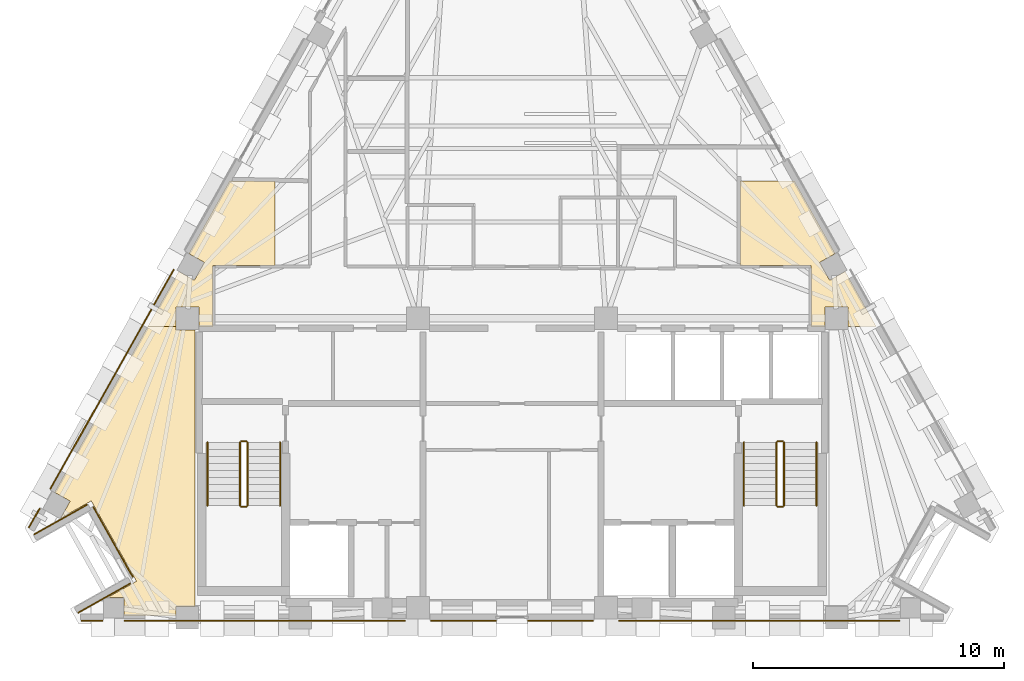
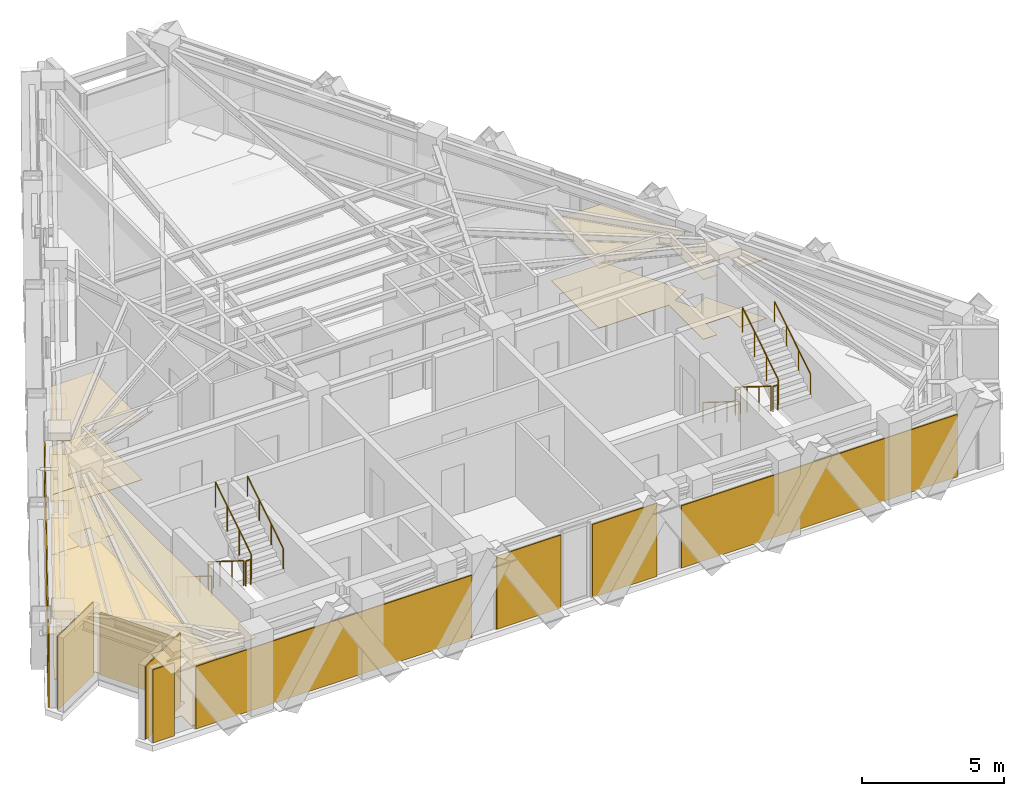
# One storey, part 8 of 9: 16 coverings, 12 railings.
"""IFC4 building model written with IfcOpenShell, lengths in metres."""

import ifcopenshell
import ifcopenshell.guid

model = None  # the IFC model being written
_history = None  # IfcOwnerHistory: only IFC2X3 demands one
_inside = {}  # id of a spatial element -> (the spatial element, [elements in it])
_under = {}  # id of a project, library or spatial element -> (it, [spatial elements below it])
_declared = {}  # id of a project -> (the project, [libraries it declares])
_typed = {}  # id of a type object -> (the type object, [elements of that type])
_made_of = {}  # id of a material, layer set ... -> (it, [elements and type objects made of it])


def new_model(schema):
    """Start an empty IFC model of exactly this schema.

    Asked for "IFC4X3", IfcOpenShell would pick the latest addendum, in which some entities
    have other attributes; the version numbers below select the first issue.
    IFC2X3 requires an IfcOwnerHistory on every rooted entity: one is made here for all.
    """
    global model, _history
    if schema == "IFC4X3":
        model = ifcopenshell.file(schema_version=(4, 3, 0, 0))
    else:
        model = ifcopenshell.file(schema=schema)
    _inside.clear()
    _under.clear()
    _declared.clear()
    _typed.clear()
    _made_of.clear()
    _history = None
    if model.schema == "IFC2X3":
        org = make("IfcOrganization", Name="unknown")
        user = make(
            "IfcPersonAndOrganization",
            ThePerson=make("IfcPerson", FamilyName="unknown"),
            TheOrganization=org,
        )
        app = make(
            "IfcApplication",
            ApplicationDeveloper=org,
            Version="unknown",
            ApplicationFullName="unknown",
            ApplicationIdentifier="unknown",
        )
        _history = make(
            "IfcOwnerHistory",
            OwningUser=user,
            OwningApplication=app,
            ChangeAction="ADDED",
            CreationDate=0,
        )
    return model


def make(cls, **values):
    """One entity of the class cls with the attributes given. An attribute that is None is left unset."""
    return model.create_entity(
        cls, **{name: value for name, value in values.items() if value is not None}
    )


def rooted(cls, **values):
    """An entity with a GlobalId (a new one), such as an element, a storey or a relation."""
    return make(cls, GlobalId=ifcopenshell.guid.new(), OwnerHistory=_history, **values)


def si_unit(unit_type, name, prefix=None):
    """IfcSIUnit, for example si_unit("LENGTHUNIT", "METRE", prefix="MILLI")."""
    return make("IfcSIUnit", UnitType=unit_type, Prefix=prefix, Name=name)


def assignment(units):
    """IfcUnitAssignment: the units of a project."""
    return None if units is None else make("IfcUnitAssignment", Units=units)


def point(xyz):
    """IfcCartesianPoint."""
    return None if xyz is None else make("IfcCartesianPoint", Coordinates=xyz)


def direction(xyz):
    """IfcDirection."""
    return None if xyz is None else make("IfcDirection", DirectionRatios=xyz)


def frame(location, z_axis=None, x_axis=None):
    """IfcAxis2Placement3D, a coordinate frame: its origin and axes. An axis left out is left unset."""
    return make(
        "IfcAxis2Placement3D",
        Location=point(location),
        Axis=direction(z_axis),
        RefDirection=direction(x_axis),
    )


def frame_2d(location, x_axis=None):
    """IfcAxis2Placement2D, a coordinate frame in the plane: its origin and x axis."""
    return make(
        "IfcAxis2Placement2D", Location=point(location), RefDirection=direction(x_axis)
    )


def origin():
    """The frame at (0, 0, 0) with its axes left unset."""
    return frame((0.0, 0.0, 0.0))


def origin_2d():
    """The frame at (0, 0) in the plane with its x axis left unset."""
    return frame_2d((0.0, 0.0))


def place(relative_to, where):
    """IfcLocalPlacement: puts the frame where relative to a parent placement (None: the world)."""
    return make(
        "IfcLocalPlacement", PlacementRelTo=relative_to, RelativePlacement=where
    )


def context(
    kind, dimensions, precision=None, world=None, true_north=None, identifier=None
):
    """IfcGeometricRepresentationContext, for example the 3D "Model" context."""
    return make(
        "IfcGeometricRepresentationContext",
        ContextIdentifier=identifier,
        ContextType=kind,
        CoordinateSpaceDimension=dimensions,
        Precision=precision,
        WorldCoordinateSystem=world,
        TrueNorth=true_north,
    )


def subcontext(parent, identifier, kind, view, scale=None):
    """IfcGeometricRepresentationSubContext, for example "Body" below "Model"."""
    return make(
        "IfcGeometricRepresentationSubContext",
        ContextIdentifier=identifier,
        ContextType=kind,
        ParentContext=parent,
        TargetScale=scale,
        TargetView=view,
    )


def project(units=None, contexts=None):
    """IfcProject with its units and contexts."""
    return rooted(
        "IfcProject",
        Name="project",
        RepresentationContexts=contexts,
        UnitsInContext=assignment(units),
    )


def spatial(cls, under=None, at=None, **own):
    """A site, building, storey or space (cls), placed at a placement, below another one or the project."""
    s = rooted(cls, ObjectPlacement=at, **own)
    if under is not None:
        _under.setdefault(under.id(), (under, []))[1].append(s)
    return s


def polyline(points):
    """IfcPolyline through the points."""
    return make("IfcPolyline", Points=[point(p) for p in points])


def profile(cls, at=None, kind="AREA", **sizes):
    """A parametric profile (cls). Its sizes go by their IFC names, for example OverallWidth=200.0."""
    return make(cls, ProfileType=kind, Position=at, **sizes)


def circle(**sizes):
    """IfcCircleProfileDef."""
    return profile("IfcCircleProfileDef", **sizes)


def outline(outer, holes=None, kind="AREA"):
    """IfcArbitraryClosedProfileDef: a profile drawn as a closed curve; with holes, ...WithVoids."""
    if holes is None:
        return make("IfcArbitraryClosedProfileDef", ProfileType=kind, OuterCurve=outer)
    return make(
        "IfcArbitraryProfileDefWithVoids",
        ProfileType=kind,
        OuterCurve=outer,
        InnerCurves=holes,
    )


def extrude(swept, where, along, depth):
    """IfcExtrudedAreaSolid: the profile swept, set in the frame where, extruded along a direction by depth."""
    return make(
        "IfcExtrudedAreaSolid",
        SweptArea=swept,
        Position=where,
        ExtrudedDirection=direction(along),
        Depth=depth,
    )


def shape(context_of_items, identifier, shape_type, items):
    """IfcShapeRepresentation: the items that make up one representation, for example the "Body"."""
    return make(
        "IfcShapeRepresentation",
        ContextOfItems=context_of_items,
        RepresentationIdentifier=identifier,
        RepresentationType=shape_type,
        Items=items,
    )


def material(Name=None, Category=None):
    """IfcMaterial."""
    return make("IfcMaterial", Name=Name, Category=Category)


def layer(
    of_material, thickness, ventilated=None, Name=None, Category=None, Priority=None
):
    """IfcMaterialLayer: one layer of a wall or slab, of a material (None: an air gap)."""
    return make(
        "IfcMaterialLayer",
        Material=of_material,
        LayerThickness=thickness,
        IsVentilated=ventilated,
        Name=Name,
        Category=Category,
        Priority=Priority,
    )


def layer_set(layers, Name=None):
    """IfcMaterialLayerSet."""
    return make("IfcMaterialLayerSet", MaterialLayers=layers, LayerSetName=Name)


def made_of(thing, what):
    """Note that an element or type object is made of a material, layer set ...; save() writes the relation."""
    if what is not None:
        _made_of.setdefault(what.id(), (what, []))[1].append(thing)
    return thing


def type_object(cls, material=None, **own):
    """A type object (cls), such as IfcWallType, which elements share."""
    return made_of(rooted(cls, **own), material)


def element(
    cls,
    number,
    at=None,
    inside=None,
    cuts=None,
    type_object=None,
    material=None,
    context=None,
    identifier="Body",
    shape_type=None,
    held_by="IfcProductDefinitionShape",
    body=None,
    shapes=None,
    **own,
):
    """One element of the class cls, such as IfcWall. Its Tag is "e" and its number.

    at: its placement. inside: the storey or other place that contains it. cuts: it is an
    opening in that element (IfcRelVoidsElement). A single representation is given by context,
    identifier, shape_type and body (its items); several are given by shapes. held_by: the class
    of the entity that holds the representations. save() writes the other relations.
    """
    e = rooted(cls, Tag="e%d" % number, ObjectPlacement=at, **own)
    if body is not None:
        shapes = [shape(context, identifier, shape_type, body)]
    if shapes is not None:
        e.Representation = make(held_by, Representations=shapes)
    if inside is not None:
        _inside.setdefault(inside.id(), (inside, []))[1].append(e)
    if cuts is not None:
        rooted(
            "IfcRelVoidsElement", RelatingBuildingElement=cuts, RelatedOpeningElement=e
        )
    if type_object is not None:
        _typed.setdefault(type_object.id(), (type_object, []))[1].append(e)
    return made_of(e, material)


def aggregate(whole, parts):
    """IfcRelAggregates: a whole, such as a stair, and the parts it consists of."""
    return rooted("IfcRelAggregates", RelatingObject=whole, RelatedObjects=parts)


def save(model, path):
    """Write the relations noted so far, then the file.

    IfcRelAggregates (storeys below a building ...), IfcRelContainedInSpatialStructure (elements
    in a storey), IfcRelDefinesByType, IfcRelAssociatesMaterial and IfcRelDeclares: one each for
    every whole, place, type object, material and project.
    """
    for whole, parts in _under.values():
        aggregate(whole, parts)
    for where, things in _inside.values():
        rooted(
            "IfcRelContainedInSpatialStructure",
            RelatedElements=things,
            RelatingStructure=where,
        )
    for kind, things in _typed.values():
        rooted("IfcRelDefinesByType", RelatedObjects=things, RelatingType=kind)
    for what, things in _made_of.values():
        rooted("IfcRelAssociatesMaterial", RelatedObjects=things, RelatingMaterial=what)
    for by, libraries in _declared.values():
        rooted("IfcRelDeclares", RelatingContext=by, RelatedDefinitions=libraries)
    model.write(path)


model = new_model("IFC4")

# Units and contexts
model_context = context("Model", 3, precision=1e-05, world=origin(), true_north=direction((0.0, 1.0)))
body_context = subcontext(model_context, "Body", "Model", "MODEL_VIEW")
ifc_project = project(units=[si_unit("LENGTHUNIT", "METRE"), si_unit("AREAUNIT", "SQUARE_METRE"), si_unit("VOLUMEUNIT", "CUBIC_METRE"), si_unit("PLANEANGLEUNIT", "RADIAN"), si_unit("MASSUNIT", "GRAM", prefix="KILO")], contexts=[model_context])

# Site, building, storey
site_placement = place(None, origin())
site = spatial("IfcSite", under=ifc_project, at=site_placement, CompositionType="ELEMENT")
building_placement = place(site_placement, origin())
building = spatial("IfcBuilding", under=site, at=building_placement, Name="Quenlor Broadcast Tower", CompositionType="ELEMENT")
storey_placement = place(building_placement, frame((0.0, 0.0, 267.39990234375)))
storey = spatial("IfcBuildingStorey", under=building, at=storey_placement, Name="L74", CompositionType="ELEMENT", Elevation=267.39990234375)

# Coverings
ifc_material_1 = material(Name="Acoustic Mineral Fibre Board", Category="other")
ifc_layer_1 = layer(ifc_material_1, 0.02490234375)
ifc_layer_set_1 = layer_set([ifc_layer_1], Name="Acoustic Perforated Mineral Tile Ceiling 25")
covering_type_1 = type_object("IfcCoveringType", Name="Acoustic Perforated Mineral Tile Ceiling 25", PredefinedType="CEILING", material=ifc_layer_set_1)
covering_1_placement = place(storey_placement, frame((0.0, 0.0, 2.572021484375)))
element("IfcCovering", 1, at=covering_1_placement, inside=storey, type_object=covering_type_1, Name="L74 Acoustic Ceiling L74-30", PredefinedType="CEILING", context=body_context, shape_type="SweptSolid", body=[
    extrude(outline(polyline([(-13.295654296875, -2.930419921875), (-12.669921875, -3.2822265625), (-12.27001953125, -2.571044921875), (-12.895751953125, -2.218994140625), (-11.2705078125, 0.67041015625), (-9.446044921875, 0.67041015625), (-9.446044921875, -2.699951171875), (-11.929931640625, -2.699951171875), (-11.929931640625, -5.1201171875), (-12.491943359375, -5.1201171875), (-12.491943359375, -4.342041015625), (-13.407958984375, -4.342041015625), (-13.407958984375, -5.1201171875), (-14.52734375, -5.1201171875), (-13.295654296875, -2.930419921875)])), origin(), (0.0, 0.0, 1.0), 0.025146484375),
])
covering_2_placement = place(storey_placement, frame((0.0, 0.0, 2.572021484375)))
element("IfcCovering", 2, at=covering_2_placement, inside=storey, type_object=covering_type_1, Name="L74 Acoustic Ceiling L74-30-2", PredefinedType="CEILING", context=body_context, shape_type="SweptSolid", body=[
    extrude(outline(polyline([(-18.25244140625, -11.7421875), (-14.52734375, -5.1201171875), (-13.407958984375, -5.1201171875), (-13.407958984375, -5.258056640625), (-12.64990234375, -5.258056640625), (-12.64990234375, -16.2919921875), (-13.407958984375, -16.2919921875), (-13.407958984375, -16.659912109375), (-15.489501953125, -16.659912109375), (-15.489501953125, -15.94189453125), (-16.1435546875, -15.94189453125), (-14.983642578125, -15.28955078125), (-16.785888671875, -12.085693359375), (-18.0087890625, -12.773681640625), (-17.626708984375, -12.09423828125), (-18.25244140625, -11.7421875)])), origin(), (0.0, 0.0, 1.0), 0.025146484375),
])
ifc_material_2 = material(Name="Acoustic Gypsum Board", Category="other")
ifc_layer_2 = layer(ifc_material_2, 0.0400390625)
ifc_layer_set_2 = layer_set([ifc_layer_2], Name="Broadcast Studio Spring Isolated Ceiling 40")
covering_type_2 = type_object("IfcCoveringType", Name="Broadcast Studio Spring Isolated Ceiling 40", PredefinedType="CEILING", material=ifc_layer_set_2)
covering_3_placement = place(storey_placement, frame((0.0, 0.0, 2.55712890625)))
element("IfcCovering", 3, at=covering_3_placement, inside=storey, type_object=covering_type_2, Name="L74 Acoustic Ceiling L74-31", PredefinedType="CEILING", context=body_context, shape_type="SweptSolid", body=[
    extrude(outline(polyline([(13.407958984375, -4.342041015625), (12.491943359375, -4.342041015625), (12.491943359375, -5.1201171875), (11.929931640625, -5.1201171875), (11.929931640625, -2.699951171875), (9.10009765625, -2.699951171875), (9.10009765625, 0.67041015625), (11.2705078125, 0.67041015625), (12.895751953125, -2.218994140625), (12.27001953125, -2.571044921875), (12.669921875, -3.2822265625), (13.295654296875, -2.930419921875), (14.52734375, -5.1201171875), (13.407958984375, -5.1201171875), (13.407958984375, -4.342041015625)])), origin(), (0.0, 0.0, 1.0), 0.0400390625),
])
ifc_material_3 = material(Name="Architectural Terracotta Ceramic", Category="masonry")
ifc_layer_3 = layer(ifc_material_3, 0.044921875)
ifc_layer_set_3 = layer_set([ifc_layer_3], Name="Fluted Terracotta Rainscreen Cladding Panel")
covering_type_3 = type_object("IfcCoveringType", Name="Fluted Terracotta Rainscreen Cladding Panel", PredefinedType="CLADDING", material=ifc_layer_set_3)
covering_4_placement = place(storey_placement, frame((0.0, 0.0, 0.02001953125)))
element("IfcCovering", 4, at=covering_4_placement, inside=storey, type_object=covering_type_3, Name="L74 Terracotta Rainscreen Cladding L74-SHD-SS1", PredefinedType="CLADDING", context=body_context, shape_type="SweptSolid", body=[
    extrude(outline(polyline([(-16.33251953125, -16.8369140625), (-17.18994140625, -16.8369140625), (-17.18994140625, -16.882080078125), (-16.33251953125, -16.882080078125), (-16.33251953125, -16.8369140625)])), origin(), (0.0, 0.0, 1.0), 3.14013671875),
])
covering_5_placement = place(storey_placement, frame((0.0, 0.0, 0.02001953125)))
element("IfcCovering", 5, at=covering_5_placement, inside=storey, type_object=covering_type_3, Name="L74 Terracotta Rainscreen Cladding L74-EW-SA", PredefinedType="CLADDING", context=body_context, shape_type="SweptSolid", body=[
    extrude(outline(polyline([(15.462646484375, -16.846923828125), (4.25, -16.846923828125), (4.25, -16.89208984375), (15.462646484375, -16.89208984375), (15.462646484375, -16.846923828125)])), origin(), (0.0, 0.0, 1.0), 2.6796875),
])
covering_6_placement = place(storey_placement, frame((0.0, 0.0, 0.02001953125)))
element("IfcCovering", 6, at=covering_6_placement, inside=storey, type_object=covering_type_3, Name="L74 Terracotta Rainscreen Cladding L74-EW-SC", PredefinedType="CLADDING", context=body_context, shape_type="SweptSolid", body=[
    extrude(outline(polyline([(-4.25, -16.846923828125), (-15.462646484375, -16.846923828125), (-15.462646484375, -16.89208984375), (-4.25, -16.89208984375), (-4.25, -16.846923828125)])), origin(), (0.0, 0.0, 1.0), 2.6796875),
])
covering_7_placement = place(storey_placement, frame((0.0, 0.0, 0.02001953125)))
element("IfcCovering", 7, at=covering_7_placement, inside=storey, type_object=covering_type_3, Name="L74 Terracotta Rainscreen Cladding L74-S-SP1", PredefinedType="CLADDING", context=body_context, shape_type="SweptSolid", body=[
    extrude(outline(polyline([(3.25, -16.846923828125), (0.6357421875, -16.846923828125), (0.6357421875, -16.89208984375), (3.25, -16.89208984375), (3.25, -16.846923828125)])), origin(), (0.0, 0.0, 1.0), 3.14013671875),
])
covering_8_placement = place(storey_placement, frame((0.0, 0.0, 0.02001953125)))
element("IfcCovering", 8, at=covering_8_placement, inside=storey, type_object=covering_type_3, Name="L74 Terracotta Rainscreen Cladding L74-S-SP2", PredefinedType="CLADDING", context=body_context, shape_type="SweptSolid", body=[
    extrude(outline(polyline([(-0.6357421875, -16.846923828125), (-3.25, -16.846923828125), (-3.25, -16.89208984375), (-0.6357421875, -16.89208984375), (-0.6357421875, -16.846923828125)])), origin(), (0.0, 0.0, 1.0), 3.14013671875),
])
covering_9_placement = place(storey_placement, frame((0.0, 0.0, 0.02001953125)))
element("IfcCovering", 9, at=covering_9_placement, inside=storey, type_object=covering_type_3, Name="L74 Terracotta Rainscreen Cladding L74-SHD-NWS0", PredefinedType="CLADDING", context=body_context, shape_type="SweptSolid", body=[
    extrude(outline(polyline([(-19.25390625, -13.161376953125), (-18.820068359375, -12.39013671875), (-18.859130859375, -12.3681640625), (-19.29296875, -13.139404296875), (-19.25390625, -13.161376953125)])), origin(), (0.0, 0.0, 1.0), 3.14013671875),
])
covering_10_placement = place(storey_placement, frame((0.0, 0.0, 0.02001953125)))
element("IfcCovering", 10, at=covering_10_placement, inside=storey, type_object=covering_type_3, Name="L74 Terracotta Rainscreen Cladding L74-EW-NWA", PredefinedType="CLADDING", context=body_context, shape_type="SweptSolid", body=[
    extrude(outline(polyline([(-18.402099609375, -11.626953125), (-13.471923828125, -2.862060546875), (-13.51123046875, -2.840087890625), (-18.44140625, -11.60498046875), (-18.402099609375, -11.626953125)])), origin(), (0.0, 0.0, 1.0), 3.14013671875),
])
covering_11_placement = place(storey_placement, frame((0.0, 0.0, 0.02001953125)))
element("IfcCovering", 11, at=covering_11_placement, inside=storey, type_object=covering_type_3, Name="L74 Terracotta Rainscreen Cladding L74-CNR-13", PredefinedType="CLADDING", context=body_context, shape_type="SweptSolid", body=[
    extrude(outline(polyline([(-19.062255859375, -13.444091796875), (-16.935546875, -12.247802734375), (-16.95751953125, -12.208740234375), (-19.084228515625, -13.405029296875), (-19.062255859375, -13.444091796875)])), origin(), (0.0, 0.0, 1.0), 3.14013671875),
])
covering_12_placement = place(storey_placement, frame((0.0, 0.0, 0.02001953125)))
element("IfcCovering", 12, at=covering_12_placement, inside=storey, type_object=covering_type_3, Name="L74 Terracotta Rainscreen Cladding L74-CNR-14", PredefinedType="CLADDING", context=body_context, shape_type="SweptSolid", body=[
    extrude(outline(polyline([(-16.72265625, -12.3369140625), (-15.14599609375, -15.139892578125), (-15.106689453125, -15.117919921875), (-16.683349609375, -12.31494140625), (-16.72265625, -12.3369140625)])), origin(), (0.0, 0.0, 1.0), 2.6796875),
])
covering_13_placement = place(storey_placement, frame((0.0, 0.0, 0.02001953125)))
element("IfcCovering", 13, at=covering_13_placement, inside=storey, type_object=covering_type_3, Name="L74 Terracotta Rainscreen Cladding L74-CNR-15", PredefinedType="CLADDING", context=body_context, shape_type="SweptSolid", body=[
    extrude(outline(polyline([(-15.23486328125, -15.352783203125), (-17.32666015625, -16.529541015625), (-17.3046875, -16.568603515625), (-15.212890625, -15.39208984375), (-15.23486328125, -15.352783203125)])), origin(), (0.0, 0.0, 1.0), 3.14013671875),
])
ifc_material_4 = material(Name="Terrazzo Stone Finish", Category="masonry")
ifc_layer_4 = layer(ifc_material_4, 0.02001953125)
ifc_layer_set_4 = layer_set([ifc_layer_4], Name="Polished Sandstone Terrazzo Flooring 20")
covering_type_4 = type_object("IfcCoveringType", Name="Polished Sandstone Terrazzo Flooring 20", PredefinedType="FLOORING", material=ifc_layer_set_4)
covering_14_placement = place(storey_placement, origin())
element("IfcCovering", 14, at=covering_14_placement, inside=storey, type_object=covering_type_4, Name="L74 Terrazzo Flooring L74-30", PredefinedType="FLOORING", context=body_context, shape_type="SweptSolid", body=[
    extrude(outline(polyline([(-13.295654296875, -2.930419921875), (-12.669921875, -3.2822265625), (-12.27001953125, -2.571044921875), (-12.895751953125, -2.218994140625), (-11.2705078125, 0.67041015625), (-9.446044921875, 0.67041015625), (-9.446044921875, -2.699951171875), (-11.929931640625, -2.699951171875), (-11.929931640625, -5.1201171875), (-12.491943359375, -5.1201171875), (-12.491943359375, -4.342041015625), (-13.407958984375, -4.342041015625), (-13.407958984375, -5.1201171875), (-14.52734375, -5.1201171875), (-13.295654296875, -2.930419921875)])), origin(), (0.0, 0.0, 1.0), 0.02001953125),
])
covering_15_placement = place(storey_placement, origin())
element("IfcCovering", 15, at=covering_15_placement, inside=storey, type_object=covering_type_4, Name="L74 Terrazzo Flooring L74-30-2", PredefinedType="FLOORING", context=body_context, shape_type="SweptSolid", body=[
    extrude(outline(polyline([(-18.25244140625, -11.7421875), (-14.52734375, -5.1201171875), (-13.407958984375, -5.1201171875), (-13.407958984375, -5.258056640625), (-12.64990234375, -5.258056640625), (-12.64990234375, -16.2919921875), (-13.407958984375, -16.2919921875), (-13.407958984375, -16.659912109375), (-15.489501953125, -16.659912109375), (-15.489501953125, -15.94189453125), (-16.1435546875, -15.94189453125), (-14.983642578125, -15.28955078125), (-16.785888671875, -12.085693359375), (-18.0087890625, -12.773681640625), (-17.626708984375, -12.09423828125), (-18.25244140625, -11.7421875)])), origin(), (0.0, 0.0, 1.0), 0.02001953125),
])
covering_16_placement = place(storey_placement, origin())
element("IfcCovering", 16, at=covering_16_placement, inside=storey, type_object=covering_type_4, Name="L74 Terrazzo Flooring L74-31", PredefinedType="FLOORING", context=body_context, shape_type="SweptSolid", body=[
    extrude(outline(polyline([(13.407958984375, -4.342041015625), (12.491943359375, -4.342041015625), (12.491943359375, -5.1201171875), (11.929931640625, -5.1201171875), (11.929931640625, -2.699951171875), (9.10009765625, -2.699951171875), (9.10009765625, 0.67041015625), (11.2705078125, 0.67041015625), (12.895751953125, -2.218994140625), (12.27001953125, -2.571044921875), (12.669921875, -3.2822265625), (13.295654296875, -2.930419921875), (14.52734375, -5.1201171875), (13.407958984375, -5.1201171875), (13.407958984375, -4.342041015625)])), origin(), (0.0, 0.0, 1.0), 0.02001953125),
])

# Railings
ifc_material_5 = material(Name="Anodised Aluminium", Category="aluminium")
railing_type_1 = type_object("IfcRailingType", Name="Stainless Aluminium Wall Handrail 900", PredefinedType="HANDRAIL", material=ifc_material_5)
railing_1_placement = place(storey_placement, frame((-12.14990234375, -9.75, 0.175048828125)))
element("IfcRailing", 17, at=railing_1_placement, inside=storey, type_object=railing_type_1, Name="L74 ST-1 stair handrail 1", PredefinedType="HANDRAIL", context=body_context, shape_type="SweptSolid", body=[
    extrude(circle(Radius=0.02392578125, at=origin_2d()), frame((0.0, 0.0, 0.8759765625), z_axis=(0.0, -0.848007534815, 0.529984170421), x_axis=(1.0, 0.0, 0.0)), (0.0, 0.0, 1.0), 2.9716796875),
    extrude(circle(Radius=0.02099609375, at=origin_2d()), origin(), (0.0, 0.0, 1.0), 0.851806640625),
    extrude(circle(Radius=0.02099609375, at=origin_2d()), frame((0.0, -0.840087890625, 0.52490234375)), (0.0, 0.0, 1.0), 0.851806640625),
    extrude(circle(Radius=0.02099609375, at=origin_2d()), frame((0.0, -1.679931640625, 1.050048828125)), (0.0, 0.0, 1.0), 0.851806640625),
    extrude(circle(Radius=0.02099609375, at=origin_2d()), frame((0.0, -2.52001953125, 1.574951171875)), (0.0, 0.0, 1.0), 0.851806640625),
])
railing_2_placement = place(storey_placement, frame((-9.25, -12.27001953125, 1.925048828125)))
element("IfcRailing", 18, at=railing_2_placement, inside=storey, type_object=railing_type_1, Name="L74 ST-1 stair handrail 2", PredefinedType="HANDRAIL", context=body_context, shape_type="SweptSolid", body=[
    extrude(circle(Radius=0.02392578125, at=origin_2d()), frame((0.0, 0.0, 0.8759765625), z_axis=(0.0, 0.848007534815, 0.529984170421), x_axis=(-1.0, 0.0, 0.0)), (0.0, 0.0, 1.0), 2.9716796875),
    extrude(circle(Radius=0.02099609375, at=origin_2d()), origin(), (0.0, 0.0, 1.0), 0.851806640625),
    extrude(circle(Radius=0.02099609375, at=origin_2d()), frame((0.0, 0.840087890625, 0.52490234375)), (0.0, 0.0, 1.0), 0.851806640625),
    extrude(circle(Radius=0.02099609375, at=origin_2d()), frame((0.0, 1.679931640625, 1.050048828125)), (0.0, 0.0, 1.0), 0.851806640625),
    extrude(circle(Radius=0.02099609375, at=origin_2d()), frame((0.0, 2.52001953125, 1.574951171875)), (0.0, 0.0, 1.0), 0.851806640625),
])
railing_3_placement = place(storey_placement, frame((9.25, -9.75, 0.175048828125)))
element("IfcRailing", 19, at=railing_3_placement, inside=storey, type_object=railing_type_1, Name="L74 ST-2 stair handrail 1", PredefinedType="HANDRAIL", context=body_context, shape_type="SweptSolid", body=[
    extrude(circle(Radius=0.02392578125, at=origin_2d()), frame((0.0, 0.0, 0.8759765625), z_axis=(0.0, -0.848007534815, 0.529984170421), x_axis=(1.0, 0.0, 0.0)), (0.0, 0.0, 1.0), 2.9716796875),
    extrude(circle(Radius=0.02099609375, at=origin_2d()), origin(), (0.0, 0.0, 1.0), 0.851806640625),
    extrude(circle(Radius=0.02099609375, at=origin_2d()), frame((0.0, -0.840087890625, 0.52490234375)), (0.0, 0.0, 1.0), 0.851806640625),
    extrude(circle(Radius=0.02099609375, at=origin_2d()), frame((0.0, -1.679931640625, 1.050048828125)), (0.0, 0.0, 1.0), 0.851806640625),
    extrude(circle(Radius=0.02099609375, at=origin_2d()), frame((0.0, -2.52001953125, 1.574951171875)), (0.0, 0.0, 1.0), 0.851806640625),
])
railing_4_placement = place(storey_placement, frame((12.14990234375, -12.27001953125, 1.925048828125)))
element("IfcRailing", 20, at=railing_4_placement, inside=storey, type_object=railing_type_1, Name="L74 ST-2 stair handrail 2", PredefinedType="HANDRAIL", context=body_context, shape_type="SweptSolid", body=[
    extrude(circle(Radius=0.02392578125, at=origin_2d()), frame((0.0, 0.0, 0.8759765625), z_axis=(0.0, 0.848007534815, 0.529984170421), x_axis=(-1.0, 0.0, 0.0)), (0.0, 0.0, 1.0), 2.9716796875),
    extrude(circle(Radius=0.02099609375, at=origin_2d()), origin(), (0.0, 0.0, 1.0), 0.851806640625),
    extrude(circle(Radius=0.02099609375, at=origin_2d()), frame((0.0, 0.840087890625, 0.52490234375)), (0.0, 0.0, 1.0), 0.851806640625),
    extrude(circle(Radius=0.02099609375, at=origin_2d()), frame((0.0, 1.679931640625, 1.050048828125)), (0.0, 0.0, 1.0), 0.851806640625),
    extrude(circle(Radius=0.02099609375, at=origin_2d()), frame((0.0, 2.52001953125, 1.574951171875)), (0.0, 0.0, 1.0), 0.851806640625),
])
ifc_material_6 = material(Name="Steel S355", Category="steel")
railing_type_2 = type_object("IfcRailingType", Name="Tubular Steel S355 Stair Guardrail 1100", PredefinedType="BALUSTRADE", material=ifc_material_6)
railing_5_placement = place(storey_placement, frame((-10.85009765625, -9.75, 0.175048828125)))
element("IfcRailing", 21, at=railing_5_placement, inside=storey, type_object=railing_type_2, Name="L74 ST-1 stair guard 1", PredefinedType="BALUSTRADE", context=body_context, shape_type="SweptSolid", body=[
    extrude(circle(Radius=0.02392578125, at=origin_2d()), frame((0.0, 0.0, 1.076171875), z_axis=(0.0, -0.848007534815, 0.529984170421), x_axis=(1.0, 0.0, 0.0)), (0.0, 0.0, 1.0), 2.9716796875),
    extrude(circle(Radius=0.02099609375, at=origin_2d()), origin(), (0.0, 0.0, 1.0), 1.052001953125),
    extrude(circle(Radius=0.02099609375, at=origin_2d()), frame((0.0, -0.840087890625, 0.52490234375)), (0.0, 0.0, 1.0), 1.052001953125),
    extrude(circle(Radius=0.02099609375, at=origin_2d()), frame((0.0, -1.679931640625, 1.050048828125)), (0.0, 0.0, 1.0), 1.052001953125),
    extrude(circle(Radius=0.02099609375, at=origin_2d()), frame((0.0, -2.52001953125, 1.574951171875)), (0.0, 0.0, 1.0), 1.052001953125),
])
railing_6_placement = place(storey_placement, frame((-10.800048828125, -12.320068359375, 1.75)))
element("IfcRailing", 22, at=railing_6_placement, inside=storey, type_object=railing_type_2, Name="L74 ST-1 stair guard 2", PredefinedType="BALUSTRADE", context=body_context, shape_type="SweptSolid", body=[
    extrude(circle(Radius=0.02392578125, at=origin_2d()), frame((0.0, 0.0, 1.076171875), z_axis=(1.0, 0.0, 0.0), x_axis=(0.0, 1.0, 0.0)), (0.0, 0.0, 1.0), 0.199951171875),
    extrude(circle(Radius=0.02099609375, at=origin_2d()), origin(), (0.0, 0.0, 1.0), 1.052001953125),
    extrude(circle(Radius=0.02099609375, at=origin_2d()), frame((0.199951171875, 0.0, 0.0)), (0.0, 0.0, 1.0), 1.052001953125),
])
railing_7_placement = place(storey_placement, frame((-10.550048828125, -12.27001953125, 1.925048828125)))
element("IfcRailing", 23, at=railing_7_placement, inside=storey, type_object=railing_type_2, Name="L74 ST-1 stair guard 3", PredefinedType="BALUSTRADE", context=body_context, shape_type="SweptSolid", body=[
    extrude(circle(Radius=0.02392578125, at=origin_2d()), frame((0.0, 0.0, 1.076171875), z_axis=(0.0, 0.848007534815, 0.529984170421), x_axis=(-1.0, 0.0, 0.0)), (0.0, 0.0, 1.0), 2.9716796875),
    extrude(circle(Radius=0.02099609375, at=origin_2d()), origin(), (0.0, 0.0, 1.0), 1.052001953125),
    extrude(circle(Radius=0.02099609375, at=origin_2d()), frame((0.0, 0.840087890625, 0.52490234375)), (0.0, 0.0, 1.0), 1.052001953125),
    extrude(circle(Radius=0.02099609375, at=origin_2d()), frame((0.0, 1.679931640625, 1.050048828125)), (0.0, 0.0, 1.0), 1.052001953125),
    extrude(circle(Radius=0.02099609375, at=origin_2d()), frame((0.0, 2.52001953125, 1.574951171875)), (0.0, 0.0, 1.0), 1.052001953125),
])
railing_8_placement = place(storey_placement, frame((-10.800048828125, -9.699951171875, 0.0)))
element("IfcRailing", 24, at=railing_8_placement, inside=storey, type_object=railing_type_2, Name="L74 ST-1 stair guard 4", PredefinedType="BALUSTRADE", context=body_context, shape_type="SweptSolid", body=[
    extrude(circle(Radius=0.02392578125, at=origin_2d()), frame((0.0, 0.0, 1.076171875), z_axis=(1.0, 0.0, 0.0), x_axis=(0.0, 1.0, 0.0)), (0.0, 0.0, 1.0), 0.199951171875),
    extrude(circle(Radius=0.02099609375, at=origin_2d()), origin(), (0.0, 0.0, 1.0), 1.052001953125),
    extrude(circle(Radius=0.02099609375, at=origin_2d()), frame((0.199951171875, 0.0, 0.0)), (0.0, 0.0, 1.0), 1.052001953125),
])
railing_9_placement = place(storey_placement, frame((10.550048828125, -9.75, 0.175048828125)))
element("IfcRailing", 25, at=railing_9_placement, inside=storey, type_object=railing_type_2, Name="L74 ST-2 stair guard 1", PredefinedType="BALUSTRADE", context=body_context, shape_type="SweptSolid", body=[
    extrude(circle(Radius=0.02392578125, at=origin_2d()), frame((0.0, 0.0, 1.076171875), z_axis=(0.0, -0.848007534815, 0.529984170421), x_axis=(1.0, 0.0, 0.0)), (0.0, 0.0, 1.0), 2.9716796875),
    extrude(circle(Radius=0.02099609375, at=origin_2d()), origin(), (0.0, 0.0, 1.0), 1.052001953125),
    extrude(circle(Radius=0.02099609375, at=origin_2d()), frame((0.0, -0.840087890625, 0.52490234375)), (0.0, 0.0, 1.0), 1.052001953125),
    extrude(circle(Radius=0.02099609375, at=origin_2d()), frame((0.0, -1.679931640625, 1.050048828125)), (0.0, 0.0, 1.0), 1.052001953125),
    extrude(circle(Radius=0.02099609375, at=origin_2d()), frame((0.0, -2.52001953125, 1.574951171875)), (0.0, 0.0, 1.0), 1.052001953125),
])
railing_10_placement = place(storey_placement, frame((10.60009765625, -12.320068359375, 1.75)))
element("IfcRailing", 26, at=railing_10_placement, inside=storey, type_object=railing_type_2, Name="L74 ST-2 stair guard 2", PredefinedType="BALUSTRADE", context=body_context, shape_type="SweptSolid", body=[
    extrude(circle(Radius=0.02392578125, at=origin_2d()), frame((0.0, 0.0, 1.076171875), z_axis=(1.0, 0.0, 0.0), x_axis=(0.0, 1.0, 0.0)), (0.0, 0.0, 1.0), 0.199951171875),
    extrude(circle(Radius=0.02099609375, at=origin_2d()), origin(), (0.0, 0.0, 1.0), 1.052001953125),
    extrude(circle(Radius=0.02099609375, at=origin_2d()), frame((0.199951171875, 0.0, 0.0)), (0.0, 0.0, 1.0), 1.052001953125),
])
railing_11_placement = place(storey_placement, frame((10.85009765625, -12.27001953125, 1.925048828125)))
element("IfcRailing", 27, at=railing_11_placement, inside=storey, type_object=railing_type_2, Name="L74 ST-2 stair guard 3", PredefinedType="BALUSTRADE", context=body_context, shape_type="SweptSolid", body=[
    extrude(circle(Radius=0.02392578125, at=origin_2d()), frame((0.0, 0.0, 1.076171875), z_axis=(0.0, 0.848007534815, 0.529984170421), x_axis=(-1.0, 0.0, 0.0)), (0.0, 0.0, 1.0), 2.9716796875),
    extrude(circle(Radius=0.02099609375, at=origin_2d()), origin(), (0.0, 0.0, 1.0), 1.052001953125),
    extrude(circle(Radius=0.02099609375, at=origin_2d()), frame((0.0, 0.840087890625, 0.52490234375)), (0.0, 0.0, 1.0), 1.052001953125),
    extrude(circle(Radius=0.02099609375, at=origin_2d()), frame((0.0, 1.679931640625, 1.050048828125)), (0.0, 0.0, 1.0), 1.052001953125),
    extrude(circle(Radius=0.02099609375, at=origin_2d()), frame((0.0, 2.52001953125, 1.574951171875)), (0.0, 0.0, 1.0), 1.052001953125),
])
railing_12_placement = place(storey_placement, frame((10.60009765625, -9.699951171875, 0.0)))
element("IfcRailing", 28, at=railing_12_placement, inside=storey, type_object=railing_type_2, Name="L74 ST-2 stair guard 4", PredefinedType="BALUSTRADE", context=body_context, shape_type="SweptSolid", body=[
    extrude(circle(Radius=0.02392578125, at=origin_2d()), frame((0.0, 0.0, 1.076171875), z_axis=(1.0, 0.0, 0.0), x_axis=(0.0, 1.0, 0.0)), (0.0, 0.0, 1.0), 0.199951171875),
    extrude(circle(Radius=0.02099609375, at=origin_2d()), origin(), (0.0, 0.0, 1.0), 1.052001953125),
    extrude(circle(Radius=0.02099609375, at=origin_2d()), frame((0.199951171875, 0.0, 0.0)), (0.0, 0.0, 1.0), 1.052001953125),
])

save(model, "model.ifc")
